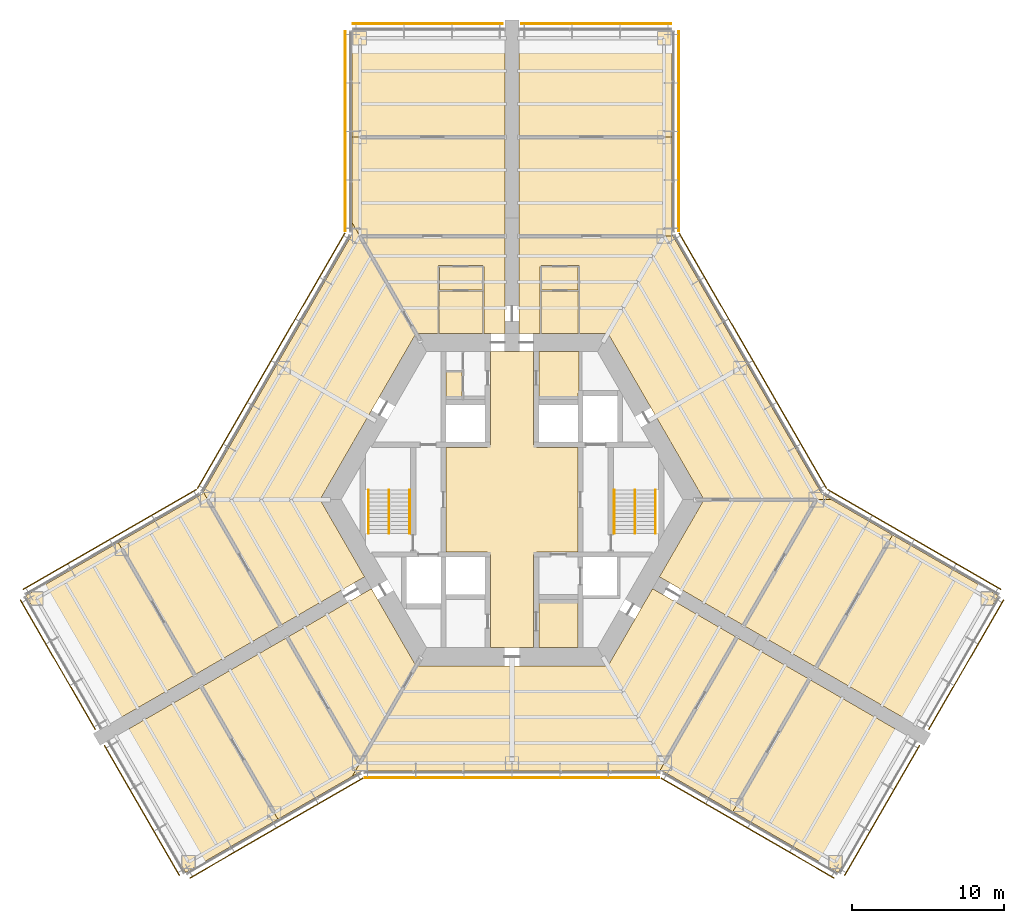
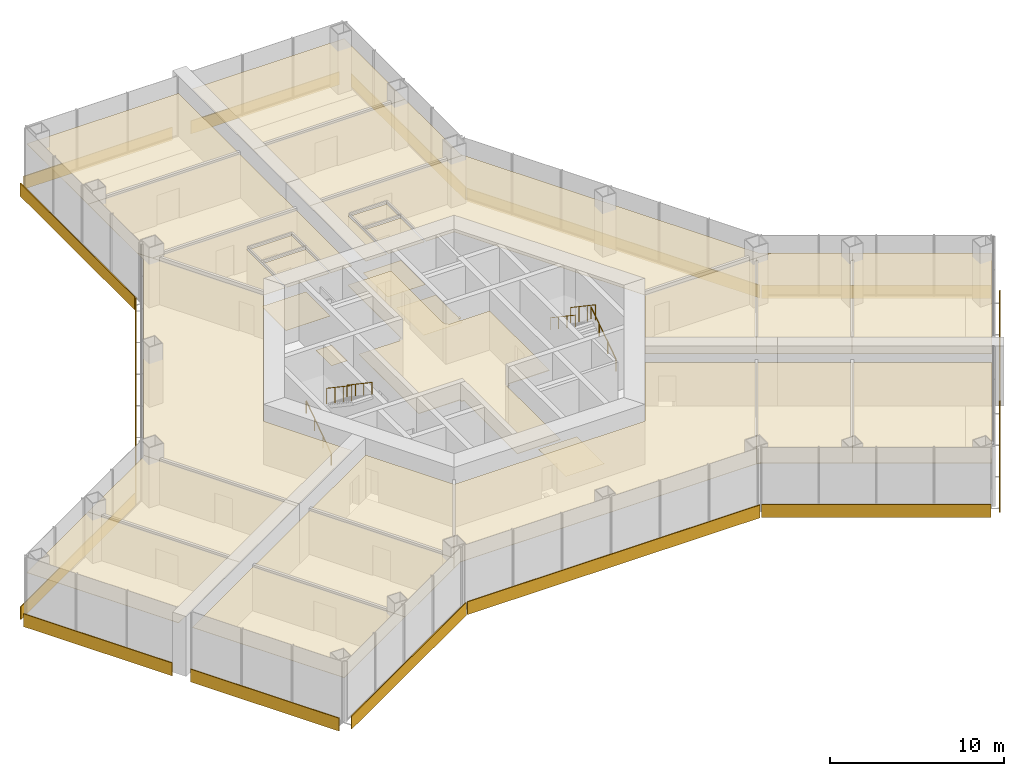
# One storey, part 15 of 15: 28 coverings, 15 shading devices, 6 railings.
"""IFC4 building model written with IfcOpenShell, lengths in metres."""

from ifc_helpers import new_model, si_unit, direction, frame, origin, origin_2d, place, context, subcontext, project, spatial, polyline, rectangle, circle, outline, extrude, material, layer, layer_set, type_object, element, save


model = new_model("IFC4")

# Units and contexts
model_context = context("Model", 3, precision=1e-05, world=origin(), true_north=direction((0.0, 1.0)))
body_context = subcontext(model_context, "Body", "Model", "MODEL_VIEW")
ifc_project = project(units=[si_unit("LENGTHUNIT", "METRE"), si_unit("AREAUNIT", "SQUARE_METRE"), si_unit("VOLUMEUNIT", "CUBIC_METRE"), si_unit("PLANEANGLEUNIT", "RADIAN"), si_unit("MASSUNIT", "GRAM", prefix="KILO")], contexts=[model_context])

# Site, building, storey
site_placement = place(None, origin())
site = spatial("IfcSite", under=ifc_project, at=site_placement, CompositionType="ELEMENT")
building_placement = place(site_placement, origin())
building = spatial("IfcBuilding", under=site, at=building_placement, Name="Kasaneha Research Tower", CompositionType="ELEMENT")
storey_placement = place(building_placement, frame((0.0, 0.0, 31.0)))
storey = spatial("IfcBuildingStorey", under=building, at=storey_placement, Name="L08", CompositionType="ELEMENT", Elevation=31.0)

# Coverings
ifc_material_1 = material(Name="Washable coated ceiling board", Category="gypsum")
ifc_layer_1 = layer(ifc_material_1, 0.02490234375)
ifc_layer_set_1 = layer_set([ifc_layer_1], Name="Laboratory ceiling 25")
covering_type_1 = type_object("IfcCoveringType", Name="Laboratory ceiling 25", PredefinedType="CEILING", material=ifc_layer_set_1)
covering_1_placement = place(storey_placement, frame((0.0, 0.0, 3.0)))
element("IfcCovering", 1, at=covering_1_placement, inside=storey, type_object=covering_type_1, Name="Ceiling L08-25", PredefinedType="CEILING", context=body_context, shape_type="SweptSolid", body=[
    extrude(outline(polyline([(1.949951171875, 10.925048828125), (1.949951171875, 13.675048828125), (4.35009765625, 13.675048828125), (4.35009765625, 10.925048828125), (1.949951171875, 10.925048828125)])), origin(), (0.0, 0.0, 1.0), 0.02490234375),
])
covering_2_placement = place(storey_placement, frame((0.0, 0.0, 3.0)))
element("IfcCovering", 2, at=covering_2_placement, inside=storey, type_object=covering_type_1, Name="Ceiling L08-26", PredefinedType="CEILING", context=body_context, shape_type="SweptSolid", body=[
    extrude(outline(polyline([(1.949951171875, 15.27490234375), (4.35009765625, 15.27490234375), (4.35009765625, 13.77490234375), (1.949951171875, 13.77490234375), (1.949951171875, 15.27490234375)])), origin(), (0.0, 0.0, 1.0), 0.02490234375),
])
covering_3_placement = place(storey_placement, frame((0.0, 0.0, 3.0)))
element("IfcCovering", 3, at=covering_3_placement, inside=storey, type_object=covering_type_1, Name="Ceiling L08-27", PredefinedType="CEILING", context=body_context, shape_type="SweptSolid", body=[
    extrude(outline(polyline([(12.614990234375, 0.0), (6.3076171875, 10.925048828125), (4.400390625, 10.925048828125), (4.400390625, 10.925048828125), (4.449951171875, 10.925048828125), (4.449951171875, 15.324951171875), (4.400390625, 15.324951171875), (4.400390625, 15.324951171875), (4.400390625, 15.3251953125), (4.400390625, 15.3251953125), (4.400390625, 15.3251953125), (4.400390625, 15.3251953125), (4.400390625, 15.3251953125), (4.400390625, 15.325439453125), (4.400390625, 15.325439453125), (4.400390625, 15.325439453125), (4.400390625, 15.325439453125), (4.400146484375, 15.325439453125), (4.400146484375, 15.325439453125), (4.400146484375, 15.325439453125), (4.400146484375, 15.325439453125), (4.400146484375, 15.325439453125), (4.39990234375, 15.325439453125), (4.39990234375, 15.375), (1.89990234375, 15.375), (1.89990234375, 15.325439453125), (1.89990234375, 15.325439453125), (1.89990234375, 15.325439453125), (1.89990234375, 15.325439453125), (1.89990234375, 15.325439453125), (1.899658203125, 15.325439453125), (1.899658203125, 15.325439453125), (1.899658203125, 15.325439453125), (1.899658203125, 15.325439453125), (1.899658203125, 15.325439453125), (1.899658203125, 15.3251953125), (1.899658203125, 15.3251953125), (1.899658203125, 15.3251953125), (1.8994140625, 15.3251953125), (1.8994140625, 15.3251953125), (1.8994140625, 15.324951171875), (1.8994140625, 15.324951171875), (1.85009765625, 15.324951171875), (1.85009765625, 10.925048828125), (0.449951171875, 10.925048828125), (0.449951171875, 11.72509765625), (0.449951171875, 12.72509765625), (0.449951171875, 17.320556640625), (10.577392578125, 17.320556640625), (20.365966796875, 0.365966796875), (21.0, 0.0), (12.614990234375, 0.0)])), origin(), (0.0, 0.0, 1.0), 0.02490234375),
])
covering_4_placement = place(storey_placement, frame((0.0, 0.0, 3.0)))
element("IfcCovering", 4, at=covering_4_placement, inside=storey, type_object=covering_type_1, Name="Ceiling L08-28", PredefinedType="CEILING", context=body_context, shape_type="SweptSolid", body=[
    extrude(outline(polyline([(10.5, 23.820556640625), (10.5, 17.45458984375), (10.577392578125, 17.320556640625), (0.449951171875, 17.320556640625), (0.449951171875, 23.820556640625), (10.5, 23.820556640625)])), origin(), (0.0, 0.0, 1.0), 0.02490234375),
])
covering_5_placement = place(storey_placement, frame((0.0, 0.0, 3.0)))
element("IfcCovering", 5, at=covering_5_placement, inside=storey, type_object=covering_type_1, Name="Ceiling L08-29", PredefinedType="CEILING", context=body_context, shape_type="SweptSolid", body=[
    extrude(outline(polyline([(10.5, 30.820556640625), (10.5, 23.820556640625), (0.449951171875, 23.820556640625), (0.449951171875, 30.820556640625), (10.5, 30.820556640625)])), origin(), (0.0, 0.0, 1.0), 0.02490234375),
])
covering_6_placement = place(storey_placement, frame((0.0, 0.0, 3.0)))
element("IfcCovering", 6, at=covering_6_placement, inside=storey, type_object=covering_type_1, Name="Ceiling L08-30", PredefinedType="CEILING", context=body_context, shape_type="SweptSolid", body=[
    extrude(outline(polyline([(-4.778564453125, 10.925048828125), (-4.778564453125, 13.675048828125), (-1.949951171875, 13.675048828125), (-1.949951171875, 10.925048828125), (-4.778564453125, 10.925048828125)])), origin(), (0.0, 0.0, 1.0), 0.02490234375),
])
covering_7_placement = place(storey_placement, frame((0.0, 0.0, 3.0)))
element("IfcCovering", 7, at=covering_7_placement, inside=storey, type_object=covering_type_1, Name="Ceiling L08-31", PredefinedType="CEILING", context=body_context, shape_type="SweptSolid", body=[
    extrude(outline(polyline([(-4.778564453125, 15.27490234375), (-1.949951171875, 15.27490234375), (-1.949951171875, 13.77490234375), (-4.778564453125, 13.77490234375), (-4.778564453125, 15.27490234375)])), origin(), (0.0, 0.0, 1.0), 0.02490234375),
])
covering_8_placement = place(storey_placement, frame((0.0, 0.0, 3.0)))
element("IfcCovering", 8, at=covering_8_placement, inside=storey, type_object=covering_type_1, Name="Ceiling L08-32", PredefinedType="CEILING", context=body_context, shape_type="SweptSolid", body=[
    extrude(outline(polyline([(-1.85009765625, 10.925048828125), (-1.85009765625, 15.324951171875), (-1.8994140625, 15.324951171875), (-1.8994140625, 15.324951171875), (-1.8994140625, 15.3251953125), (-1.8994140625, 15.3251953125), (-1.899658203125, 15.3251953125), (-1.899658203125, 15.3251953125), (-1.899658203125, 15.3251953125), (-1.899658203125, 15.325439453125), (-1.899658203125, 15.325439453125), (-1.899658203125, 15.325439453125), (-1.899658203125, 15.325439453125), (-1.899658203125, 15.325439453125), (-1.89990234375, 15.325439453125), (-1.89990234375, 15.325439453125), (-1.89990234375, 15.325439453125), (-1.89990234375, 15.325439453125), (-1.89990234375, 15.325439453125), (-1.89990234375, 15.375), (-4.82861328125, 15.375), (-4.82861328125, 15.325439453125), (-4.82861328125, 15.325439453125), (-4.82861328125, 15.325439453125), (-4.82861328125, 15.325439453125), (-4.828857421875, 15.325439453125), (-4.828857421875, 15.325439453125), (-4.828857421875, 15.325439453125), (-4.828857421875, 15.325439453125), (-4.828857421875, 15.325439453125), (-4.828857421875, 15.325439453125), (-4.8291015625, 15.3251953125), (-4.8291015625, 15.3251953125), (-4.8291015625, 15.3251953125), (-4.8291015625, 15.3251953125), (-4.8291015625, 15.3251953125), (-4.8291015625, 15.324951171875), (-4.8291015625, 15.324951171875), (-4.878662109375, 15.324951171875), (-4.878662109375, 10.925048828125), (-6.3076171875, 10.925048828125), (-10.0, 17.320556640625), (-0.449951171875, 17.320556640625), (-0.449951171875, 12.72509765625), (-0.449951171875, 11.72509765625), (-0.449951171875, 10.925048828125), (-1.85009765625, 10.925048828125)])), origin(), (0.0, 0.0, 1.0), 0.02490234375),
])
covering_9_placement = place(storey_placement, frame((0.0, 0.0, 3.0)))
element("IfcCovering", 9, at=covering_9_placement, inside=storey, type_object=covering_type_1, Name="Ceiling L08-33", PredefinedType="CEILING", context=body_context, shape_type="SweptSolid", body=[
    extrude(outline(polyline([(-10.5, 23.820556640625), (-0.449951171875, 23.820556640625), (-0.449951171875, 17.320556640625), (-10.0, 17.320556640625), (-10.5, 18.1865234375), (-10.5, 23.820556640625)])), origin(), (0.0, 0.0, 1.0), 0.02490234375),
])
covering_10_placement = place(storey_placement, frame((0.0, 0.0, 3.0)))
element("IfcCovering", 10, at=covering_10_placement, inside=storey, type_object=covering_type_1, Name="Ceiling L08-34", PredefinedType="CEILING", context=body_context, shape_type="SweptSolid", body=[
    extrude(outline(polyline([(-0.449951171875, 30.820556640625), (-0.449951171875, 23.820556640625), (-10.5, 23.820556640625), (-10.5, 30.820556640625), (-0.449951171875, 30.820556640625)])), origin(), (0.0, 0.0, 1.0), 0.02490234375),
])
covering_11_placement = place(storey_placement, frame((0.0, 0.0, 3.0)))
element("IfcCovering", 11, at=covering_11_placement, inside=storey, type_object=covering_type_1, Name="Ceiling L08-35", PredefinedType="CEILING", context=body_context, shape_type="SweptSolid", body=[
    extrude(outline(polyline([(-12.614990234375, 0.0), (-9.686279296875, -5.07275390625), (-9.895263671875, -5.193359375), (-10.379150390625, -5.472900390625), (-11.2451171875, -5.972900390625), (-14.55810546875, -7.885498046875), (-15.22509765625, -8.2705078125), (-20.28857421875, 0.5), (-10.5, 17.45458984375), (-10.5, 18.1865234375), (-6.3076171875, 10.925048828125), (-12.614990234375, 0.0)])), origin(), (0.0, 0.0, 1.0), 0.02490234375),
])
covering_12_placement = place(storey_placement, frame((0.0, 0.0, 3.0)))
element("IfcCovering", 12, at=covering_12_placement, inside=storey, type_object=covering_type_1, Name="Ceiling L08-36", PredefinedType="CEILING", context=body_context, shape_type="SweptSolid", body=[
    extrude(outline(polyline([(-25.879150390625, -2.81689453125), (-20.365966796875, 0.365966796875), (-20.28857421875, 0.5), (-15.22509765625, -8.2705078125), (-20.854248046875, -11.5205078125), (-25.879150390625, -2.81689453125)])), origin(), (0.0, 0.0, 1.0), 0.02490234375),
])
covering_13_placement = place(storey_placement, frame((0.0, 0.0, 3.0)))
element("IfcCovering", 13, at=covering_13_placement, inside=storey, type_object=covering_type_1, Name="Ceiling L08-37", PredefinedType="CEILING", context=body_context, shape_type="SweptSolid", body=[
    extrude(outline(polyline([(-31.94140625, -6.31689453125), (-25.879150390625, -2.81689453125), (-20.854248046875, -11.5205078125), (-26.916259765625, -15.0205078125), (-31.94140625, -6.31689453125)])), origin(), (0.0, 0.0, 1.0), 0.02490234375),
])
covering_14_placement = place(storey_placement, frame((0.0, 0.0, 3.0)))
element("IfcCovering", 14, at=covering_14_placement, inside=storey, type_object=covering_type_1, Name="Ceiling L08-38", PredefinedType="CEILING", context=body_context, shape_type="SweptSolid", body=[
    extrude(outline(polyline([(-9.236328125, -5.852294921875), (-6.3076171875, -10.925048828125), (-10.0, -17.320556640625), (-14.77490234375, -9.050048828125), (-9.92919921875, -6.252197265625), (-9.92919921875, -6.252197265625), (-9.236328125, -5.852294921875)])), origin(), (0.0, 0.0, 1.0), 0.02490234375),
])
covering_15_placement = place(storey_placement, frame((0.0, 0.0, 3.0)))
element("IfcCovering", 15, at=covering_15_placement, inside=storey, type_object=covering_type_1, Name="Ceiling L08-39", PredefinedType="CEILING", context=body_context, shape_type="SweptSolid", body=[
    extrude(outline(polyline([(-21.44140625, -24.50341796875), (-26.46630859375, -15.800048828125), (-20.404052734375, -12.300048828125), (-15.379150390625, -21.00341796875), (-21.44140625, -24.50341796875)])), origin(), (0.0, 0.0, 1.0), 0.02490234375),
])
covering_16_placement = place(storey_placement, frame((0.0, 0.0, 3.0)))
element("IfcCovering", 16, at=covering_16_placement, inside=storey, type_object=covering_type_1, Name="Ceiling L08-40", PredefinedType="CEILING", context=body_context, shape_type="SweptSolid", body=[
    extrude(outline(polyline([(-10.5, -18.1865234375), (-15.379150390625, -21.00341796875), (-20.404052734375, -12.300048828125), (-14.77490234375, -9.050048828125), (-10.0, -17.320556640625), (-10.5, -18.1865234375)])), origin(), (0.0, 0.0, 1.0), 0.02490234375),
])
covering_17_placement = place(storey_placement, frame((0.0, 0.0, 3.0)))
element("IfcCovering", 17, at=covering_17_placement, inside=storey, type_object=covering_type_1, Name="Ceiling L08-41", PredefinedType="CEILING", context=body_context, shape_type="SweptSolid", body=[
    extrude(outline(polyline([(11.2451171875, -5.972900390625), (10.379150390625, -5.472900390625), (9.686279296875, -5.07275390625), (12.614990234375, 0.0), (20.0, 0.0), (15.22509765625, -8.2705078125), (14.55810546875, -7.885498046875), (11.2451171875, -5.972900390625)])), origin(), (0.0, 0.0, 1.0), 0.02490234375),
])
covering_18_placement = place(storey_placement, frame((0.0, 0.0, 3.0)))
element("IfcCovering", 18, at=covering_18_placement, inside=storey, type_object=covering_type_1, Name="Ceiling L08-42", PredefinedType="CEILING", context=body_context, shape_type="SweptSolid", body=[
    extrude(outline(polyline([(19.988037109375, -11.0205078125), (25.01318359375, -2.31689453125), (31.94140625, -6.31689453125), (26.916259765625, -15.0205078125), (23.355224609375, -12.964599609375), (19.988037109375, -11.0205078125)])), origin(), (0.0, 0.0, 1.0), 0.02490234375),
])
covering_19_placement = place(storey_placement, frame((0.0, 0.0, 3.0)))
element("IfcCovering", 19, at=covering_19_placement, inside=storey, type_object=covering_type_1, Name="Ceiling L08-43", PredefinedType="CEILING", context=body_context, shape_type="SweptSolid", body=[
    extrude(outline(polyline([(15.22509765625, -8.2705078125), (20.0, 0.0), (21.0, 0.0), (25.01318359375, -2.31689453125), (19.988037109375, -11.0205078125), (15.6201171875, -8.49853515625), (15.22509765625, -8.2705078125)])), origin(), (0.0, 0.0, 1.0), 0.02490234375),
])
covering_20_placement = place(storey_placement, frame((0.0, 0.0, 3.0)))
element("IfcCovering", 20, at=covering_20_placement, inside=storey, type_object=covering_type_1, Name="Ceiling L08-44", PredefinedType="CEILING", context=body_context, shape_type="SweptSolid", body=[
    extrude(outline(polyline([(-10.5, -18.1865234375), (-6.3076171875, -10.925048828125), (6.3076171875, -10.925048828125), (9.236328125, -5.852294921875), (9.92919921875, -6.252197265625), (9.92919921875, -6.252197265625), (10.909423828125, -6.818359375), (14.77490234375, -9.050048828125), (9.71142578125, -17.820556640625), (-9.865966796875, -17.820556640625), (-10.5, -18.1865234375)])), origin(), (0.0, 0.0, 1.0), 0.02490234375),
])
covering_21_placement = place(storey_placement, frame((0.0, 0.0, 3.0)))
element("IfcCovering", 21, at=covering_21_placement, inside=storey, type_object=covering_type_1, Name="Ceiling L08-45", PredefinedType="CEILING", context=body_context, shape_type="SweptSolid", body=[
    extrude(outline(polyline([(14.77490234375, -9.050048828125), (19.5380859375, -11.800048828125), (14.51318359375, -20.50341796875), (9.865966796875, -17.820556640625), (9.71142578125, -17.820556640625), (14.77490234375, -9.050048828125)])), origin(), (0.0, 0.0, 1.0), 0.02490234375),
])
covering_22_placement = place(storey_placement, frame((0.0, 0.0, 3.0)))
element("IfcCovering", 22, at=covering_22_placement, inside=storey, type_object=covering_type_1, Name="Ceiling L08-46", PredefinedType="CEILING", context=body_context, shape_type="SweptSolid", body=[
    extrude(outline(polyline([(21.44140625, -24.50341796875), (14.51318359375, -20.50341796875), (19.5380859375, -11.800048828125), (26.46630859375, -15.800048828125), (21.44140625, -24.50341796875)])), origin(), (0.0, 0.0, 1.0), 0.02490234375),
])
ifc_material_2 = material(Name="Aluminium panel ceiling", Category="aluminium")
ifc_layer_2 = layer(ifc_material_2, 0.0400390625)
ifc_layer_set_2 = layer_set([ifc_layer_2], Name="Lift lobby ceiling 40")
covering_type_2 = type_object("IfcCoveringType", Name="Lift lobby ceiling 40", PredefinedType="CEILING", material=ifc_layer_set_2)
covering_23_placement = place(storey_placement, frame((0.0, 0.0, 2.699951171875)))
element("IfcCovering", 23, at=covering_23_placement, inside=storey, type_object=covering_type_2, Name="Ceiling L08-01", PredefinedType="CEILING", context=body_context, shape_type="SweptSolid", body=[
    extrude(outline(polyline([(1.425048828125, 9.72509765625), (1.425048828125, 3.60009765625), (1.60009765625, 3.60009765625), (1.60009765625, 3.425048828125), (4.324951171875, 3.425048828125), (4.324951171875, -3.425048828125), (1.60009765625, -3.425048828125), (1.60009765625, -3.60009765625), (1.425048828125, -3.60009765625), (1.425048828125, -9.72509765625), (-1.425048828125, -9.72509765625), (-1.425048828125, -3.60009765625), (-1.60009765625, -3.60009765625), (-1.60009765625, -3.425048828125), (-4.324951171875, -3.425048828125), (-4.324951171875, 3.425048828125), (-1.60009765625, 3.425048828125), (-1.60009765625, 3.60009765625), (-1.425048828125, 3.60009765625), (-1.425048828125, 9.72509765625), (1.425048828125, 9.72509765625)])), origin(), (0.0, 0.0, 1.0), 0.0400390625),
])

# Railings
ifc_material_3 = material(Name="Steel", Category="steel")
railing_type_1 = type_object("IfcRailingType", Name="Stair balustrade 1100", PredefinedType="GUARDRAIL", material=ifc_material_3)
for number, where, name in (
    (24, (8.074951171875, 0.635009765625, 2.27490234375), "Stair 1 balustrade L08"),
    (25, (-8.074951171875, 0.635009765625, 2.27490234375), "Stair 2 balustrade L08"),
):
    element("IfcRailing", number, at=place(storey_placement, frame(where)), inside=storey, type_object=railing_type_1, Name=name, PredefinedType="GUARDRAIL", context=body_context, shape_type="SweptSolid", body=[
        extrude(circle(Radius=0.02392578125, at=origin_2d()), frame((0.0, 0.0, 1.076171875), z_axis=(0.0, -0.829590901723, 0.558371682465), x_axis=(1.0, 0.0, 0.0)), (0.0, 0.0, 1.0), 3.447509765625),
        extrude(circle(Radius=0.02099609375, at=origin_2d()), origin(), (0.0, 0.0, 1.0), 1.052001953125),
        extrude(circle(Radius=0.02099609375, at=origin_2d()), frame((0.0, -0.953369140625, 0.6416015625)), (0.0, 0.0, 1.0), 1.052001953125),
        extrude(circle(Radius=0.02099609375, at=origin_2d()), frame((0.0, -1.90673828125, 1.283447265625)), (0.0, 0.0, 1.0), 1.052001953125),
        extrude(circle(Radius=0.02099609375, at=origin_2d()), frame((0.0, -2.860107421875, 1.925048828125)), (0.0, 0.0, 1.0), 1.052001953125),
    ])
ifc_material_4 = material(Name="Steel", Category="steel")
railing_type_2 = type_object("IfcRailingType", Name="Stair handrail 850", PredefinedType="HANDRAIL", material=ifc_material_4)
railing_1_placement = place(storey_placement, frame((9.425048828125, -2.22509765625, 0.175048828125)))
element("IfcRailing", 26, at=railing_1_placement, inside=storey, type_object=railing_type_2, Name="Stair 1 handrail L08", PredefinedType="HANDRAIL", context=body_context, shape_type="SweptSolid", body=[
    extrude(circle(Radius=0.02392578125, at=origin_2d()), frame((0.0, 0.0, 0.826171875), z_axis=(0.0, 0.829590901723, 0.558371682465), x_axis=(-1.0, 0.0, 0.0)), (0.0, 0.0, 1.0), 3.447509765625),
    extrude(circle(Radius=0.02099609375, at=origin_2d()), origin(), (0.0, 0.0, 1.0), 0.802001953125),
    extrude(circle(Radius=0.02099609375, at=origin_2d()), frame((0.0, 0.953369140625, 0.6416015625)), (0.0, 0.0, 1.0), 0.802001953125),
    extrude(circle(Radius=0.02099609375, at=origin_2d()), frame((0.0, 1.90673828125, 1.283447265625)), (0.0, 0.0, 1.0), 0.802001953125),
    extrude(circle(Radius=0.02099609375, at=origin_2d()), frame((0.0, 2.860107421875, 1.925048828125)), (0.0, 0.0, 1.0), 0.802001953125),
])
railing_2_placement = place(storey_placement, frame((6.72509765625, 0.635009765625, 2.27490234375)))
element("IfcRailing", 27, at=railing_2_placement, inside=storey, type_object=railing_type_2, Name="Stair 1 handrail L08", PredefinedType="HANDRAIL", context=body_context, shape_type="SweptSolid", body=[
    extrude(circle(Radius=0.02392578125, at=origin_2d()), frame((0.0, 0.0, 0.826171875), z_axis=(0.0, -0.829590901723, 0.558371682465), x_axis=(1.0, 0.0, 0.0)), (0.0, 0.0, 1.0), 3.447509765625),
    extrude(circle(Radius=0.02099609375, at=origin_2d()), origin(), (0.0, 0.0, 1.0), 0.802001953125),
    extrude(circle(Radius=0.02099609375, at=origin_2d()), frame((0.0, -0.953369140625, 0.6416015625)), (0.0, 0.0, 1.0), 0.802001953125),
    extrude(circle(Radius=0.02099609375, at=origin_2d()), frame((0.0, -1.90673828125, 1.283447265625)), (0.0, 0.0, 1.0), 0.802001953125),
    extrude(circle(Radius=0.02099609375, at=origin_2d()), frame((0.0, -2.860107421875, 1.925048828125)), (0.0, 0.0, 1.0), 0.802001953125),
])
railing_3_placement = place(storey_placement, frame((-9.425048828125, -2.22509765625, 0.175048828125)))
element("IfcRailing", 28, at=railing_3_placement, inside=storey, type_object=railing_type_2, Name="Stair 2 handrail L08", PredefinedType="HANDRAIL", context=body_context, shape_type="SweptSolid", body=[
    extrude(circle(Radius=0.02392578125, at=origin_2d()), frame((0.0, 0.0, 0.826171875), z_axis=(0.0, 0.829590901723, 0.558371682465), x_axis=(-1.0, 0.0, 0.0)), (0.0, 0.0, 1.0), 3.447509765625),
    extrude(circle(Radius=0.02099609375, at=origin_2d()), origin(), (0.0, 0.0, 1.0), 0.802001953125),
    extrude(circle(Radius=0.02099609375, at=origin_2d()), frame((0.0, 0.953369140625, 0.6416015625)), (0.0, 0.0, 1.0), 0.802001953125),
    extrude(circle(Radius=0.02099609375, at=origin_2d()), frame((0.0, 1.90673828125, 1.283447265625)), (0.0, 0.0, 1.0), 0.802001953125),
    extrude(circle(Radius=0.02099609375, at=origin_2d()), frame((0.0, 2.860107421875, 1.925048828125)), (0.0, 0.0, 1.0), 0.802001953125),
])
railing_4_placement = place(storey_placement, frame((-6.72509765625, 0.635009765625, 2.27490234375)))
element("IfcRailing", 29, at=railing_4_placement, inside=storey, type_object=railing_type_2, Name="Stair 2 handrail L08", PredefinedType="HANDRAIL", context=body_context, shape_type="SweptSolid", body=[
    extrude(circle(Radius=0.02392578125, at=origin_2d()), frame((0.0, 0.0, 0.826171875), z_axis=(0.0, -0.829590901723, 0.558371682465), x_axis=(1.0, 0.0, 0.0)), (0.0, 0.0, 1.0), 3.447509765625),
    extrude(circle(Radius=0.02099609375, at=origin_2d()), origin(), (0.0, 0.0, 1.0), 0.802001953125),
    extrude(circle(Radius=0.02099609375, at=origin_2d()), frame((0.0, -0.953369140625, 0.6416015625)), (0.0, 0.0, 1.0), 0.802001953125),
    extrude(circle(Radius=0.02099609375, at=origin_2d()), frame((0.0, -1.90673828125, 1.283447265625)), (0.0, 0.0, 1.0), 0.802001953125),
    extrude(circle(Radius=0.02099609375, at=origin_2d()), frame((0.0, -2.860107421875, 1.925048828125)), (0.0, 0.0, 1.0), 0.802001953125),
])

# Shading devices
ifc_material_5 = material(Name="Terracotta", Category="masonry")
ifc_layer_3 = layer(ifc_material_5, 0.06005859375)
ifc_layer_set_3 = layer_set([ifc_layer_3], Name="Terracotta baguette screen")
shading_device_type = type_object("IfcShadingDeviceType", Name="Terracotta baguette screen", PredefinedType="USERDEFINED", material=ifc_layer_set_3)
shading_device_1_placement = place(storey_placement, frame((-15.483642578125, -21.58349609375, -0.449951171875), z_axis=(0.0, 0.0, 1.0), x_axis=(0.866025411464, 0.499999986699, 0.0)))
element("IfcShadingDevice", 30, at=shading_device_1_placement, inside=storey, type_object=shading_device_type, Name="Baguette screen L08 01", ObjectType="TERRACOTTA BAGUETTE SCREEN", PredefinedType="USERDEFINED", context=body_context, shape_type="SweptSolid", body=[
    extrude(rectangle(XDim=13.13916015625, YDim=0.06005859375, at=origin_2d()), origin(), (0.0, 0.0, 1.0), 0.89990234375),
])
shading_device_2_placement = place(storey_placement, frame((0.0, -18.2705078125, -0.449951171875), z_axis=(0.0, 0.0, 1.0), x_axis=(1.0, 0.0, 0.0)))
element("IfcShadingDevice", 31, at=shading_device_2_placement, inside=storey, type_object=shading_device_type, Name="Baguette screen L08 02", ObjectType="TERRACOTTA BAGUETTE SCREEN", PredefinedType="USERDEFINED", context=body_context, shape_type="SweptSolid", body=[
    extrude(rectangle(XDim=19.37841796875, YDim=0.06005859375, at=origin_2d()), origin(), (0.0, 0.0, 1.0), 0.89990234375),
])
shading_device_3_placement = place(storey_placement, frame((15.483642578125, -21.58349609375, -0.449951171875), z_axis=(0.0, 0.0, 1.0), x_axis=(0.866025411464, -0.499999986699, 0.0)))
element("IfcShadingDevice", 32, at=shading_device_3_placement, inside=storey, type_object=shading_device_type, Name="Baguette screen L08 03", ObjectType="TERRACOTTA BAGUETTE SCREEN", PredefinedType="USERDEFINED", context=body_context, shape_type="SweptSolid", body=[
    extrude(rectangle(XDim=13.13916015625, YDim=0.06005859375, at=origin_2d()), origin(), (0.0, 0.0, 1.0), 0.89990234375),
])
for number, where, z_axis, x_axis, name in (
    (33, (24.318603515625, -20.420166015625, -0.449951171875), (0.0, 0.0, 1.0), (0.500000011442, 0.866025397178, 0.0), "Baguette screen L08 04"),
    (34, (29.843505859375, -10.850341796875, -0.449951171875), (0.0, 0.0, 1.0), (0.500000011442, 0.866025397178, 0.0), "Baguette screen L08 05"),
):
    element("IfcShadingDevice", number, at=place(storey_placement, frame(where, z_axis=z_axis, x_axis=x_axis)), inside=storey, type_object=shading_device_type, Name=name, ObjectType="TERRACOTTA BAGUETTE SCREEN", PredefinedType="USERDEFINED", context=body_context, shape_type="SweptSolid", body=[
        extrude(rectangle(XDim=9.85009765625, YDim=0.06005859375, at=origin_2d()), origin(), (0.0, 0.0, 1.0), 0.89990234375),
    ])
shading_device_4_placement = place(storey_placement, frame((26.43359375, -2.617431640625, -0.449951171875), z_axis=(0.0, 0.0, 1.0), x_axis=(-0.866025411464, 0.499999986699, 0.0)))
element("IfcShadingDevice", 35, at=shading_device_4_placement, inside=storey, type_object=shading_device_type, Name="Baguette screen L08 06", ObjectType="TERRACOTTA BAGUETTE SCREEN", PredefinedType="USERDEFINED", context=body_context, shape_type="SweptSolid", body=[
    extrude(rectangle(XDim=13.13916015625, YDim=0.06005859375, at=origin_2d()), origin(), (0.0, 0.0, 1.0), 0.89990234375),
])
shading_device_5_placement = place(storey_placement, frame((15.82275390625, 9.13525390625, -0.449951171875), z_axis=(0.0, 0.0, 1.0), x_axis=(-0.49999996188, 0.866025425793, 0.0)))
element("IfcShadingDevice", 36, at=shading_device_5_placement, inside=storey, type_object=shading_device_type, Name="Baguette screen L08 07", ObjectType="TERRACOTTA BAGUETTE SCREEN", PredefinedType="USERDEFINED", context=body_context, shape_type="SweptSolid", body=[
    extrude(rectangle(XDim=19.37841796875, YDim=0.06005859375, at=origin_2d()), origin(), (0.0, 0.0, 1.0), 0.89990234375),
])
shading_device_6_placement = place(storey_placement, frame((10.949951171875, 24.200927734375, -0.449951171875), z_axis=(0.0, 0.0, 1.0), x_axis=(0.0, 1.0, 0.0)))
element("IfcShadingDevice", 37, at=shading_device_6_placement, inside=storey, type_object=shading_device_type, Name="Baguette screen L08 08", ObjectType="TERRACOTTA BAGUETTE SCREEN", PredefinedType="USERDEFINED", context=body_context, shape_type="SweptSolid", body=[
    extrude(rectangle(XDim=13.13916015625, YDim=0.06005859375, at=origin_2d()), origin(), (0.0, 0.0, 1.0), 0.89990234375),
])
for number, where, z_axis, x_axis, name in (
    (38, (5.52490234375, 31.2705078125, -0.449951171875), (0.0, 0.0, 1.0), (-1.0, 0.0, 0.0), "Baguette screen L08 09"),
    (39, (-5.52490234375, 31.2705078125, -0.449951171875), (0.0, 0.0, 1.0), (-1.0, 0.0, 0.0), "Baguette screen L08 10"),
):
    element("IfcShadingDevice", number, at=place(storey_placement, frame(where, z_axis=z_axis, x_axis=x_axis)), inside=storey, type_object=shading_device_type, Name=name, ObjectType="TERRACOTTA BAGUETTE SCREEN", PredefinedType="USERDEFINED", context=body_context, shape_type="SweptSolid", body=[
        extrude(rectangle(XDim=9.85009765625, YDim=0.06005859375, at=origin_2d()), origin(), (0.0, 0.0, 1.0), 0.89990234375),
    ])
shading_device_7_placement = place(storey_placement, frame((-10.949951171875, 24.200927734375, -0.449951171875), z_axis=(0.0, 0.0, 1.0), x_axis=(0.0, -1.0, 0.0)))
element("IfcShadingDevice", 40, at=shading_device_7_placement, inside=storey, type_object=shading_device_type, Name="Baguette screen L08 11", ObjectType="TERRACOTTA BAGUETTE SCREEN", PredefinedType="USERDEFINED", context=body_context, shape_type="SweptSolid", body=[
    extrude(rectangle(XDim=13.13916015625, YDim=0.06005859375, at=origin_2d()), origin(), (0.0, 0.0, 1.0), 0.89990234375),
])
shading_device_8_placement = place(storey_placement, frame((-15.82275390625, 9.13525390625, -0.449951171875), z_axis=(0.0, 0.0, 1.0), x_axis=(-0.49999996188, -0.866025425793, 0.0)))
element("IfcShadingDevice", 41, at=shading_device_8_placement, inside=storey, type_object=shading_device_type, Name="Baguette screen L08 12", ObjectType="TERRACOTTA BAGUETTE SCREEN", PredefinedType="USERDEFINED", context=body_context, shape_type="SweptSolid", body=[
    extrude(rectangle(XDim=19.37841796875, YDim=0.06005859375, at=origin_2d()), origin(), (0.0, 0.0, 1.0), 0.89990234375),
])
shading_device_9_placement = place(storey_placement, frame((-26.43359375, -2.617431640625, -0.449951171875), z_axis=(0.0, 0.0, 1.0), x_axis=(-0.866025411464, -0.499999986699, 0.0)))
element("IfcShadingDevice", 42, at=shading_device_9_placement, inside=storey, type_object=shading_device_type, Name="Baguette screen L08 13", ObjectType="TERRACOTTA BAGUETTE SCREEN", PredefinedType="USERDEFINED", context=body_context, shape_type="SweptSolid", body=[
    extrude(rectangle(XDim=13.13916015625, YDim=0.06005859375, at=origin_2d()), origin(), (0.0, 0.0, 1.0), 0.89990234375),
])
for number, where, z_axis, x_axis, name in (
    (43, (-29.843505859375, -10.850341796875, -0.449951171875), (0.0, 0.0, 1.0), (0.500000011442, -0.866025397178, 0.0), "Baguette screen L08 14"),
    (44, (-24.318603515625, -20.420166015625, -0.449951171875), (0.0, 0.0, 1.0), (0.500000011442, -0.866025397178, 0.0), "Baguette screen L08 15"),
):
    element("IfcShadingDevice", number, at=place(storey_placement, frame(where, z_axis=z_axis, x_axis=x_axis)), inside=storey, type_object=shading_device_type, Name=name, ObjectType="TERRACOTTA BAGUETTE SCREEN", PredefinedType="USERDEFINED", context=body_context, shape_type="SweptSolid", body=[
        extrude(rectangle(XDim=9.85009765625, YDim=0.06005859375, at=origin_2d()), origin(), (0.0, 0.0, 1.0), 0.89990234375),
    ])

# Coverings
ifc_material_6 = material(Name="Vinyl sheet flooring", Category="plastic")
ifc_layer_4 = layer(ifc_material_6, 0.0048828125)
ifc_layer_set_4 = layer_set([ifc_layer_4], Name="Wet room sheet flooring 5")
covering_type_3 = type_object("IfcCoveringType", Name="Wet room sheet flooring 5", PredefinedType="FLOORING", material=ifc_layer_set_4)
covering_24_placement = place(storey_placement, origin())
element("IfcCovering", 45, at=covering_24_placement, inside=storey, type_object=covering_type_3, Name="Floor finish L08-07", PredefinedType="FLOORING", context=body_context, shape_type="SweptSolid", body=[
    extrude(outline(polyline([(-4.324951171875, 6.574951171875), (-4.324951171875, 8.375), (-3.27490234375, 8.375), (-3.27490234375, 6.574951171875), (-4.324951171875, 6.574951171875)])), origin(), (0.0, 0.0, 1.0), 0.0048828125),
])
covering_25_placement = place(storey_placement, origin())
element("IfcCovering", 46, at=covering_25_placement, inside=storey, type_object=covering_type_3, Name="Floor finish L08-09", PredefinedType="FLOORING", context=body_context, shape_type="SweptSolid", body=[
    extrude(outline(polyline([(4.39892578125, 9.72509765625), (4.39892578125, 7.175048828125), (4.39892578125, 7.1748046875), (4.39892578125, 7.1748046875), (4.39892578125, 7.1748046875), (4.399169921875, 7.174560546875), (4.399169921875, 7.174560546875), (4.399169921875, 7.174560546875), (4.399169921875, 7.17431640625), (4.399169921875, 7.17431640625), (4.3994140625, 7.17431640625), (4.3994140625, 7.174072265625), (4.3994140625, 7.174072265625), (4.399658203125, 7.174072265625), (4.399658203125, 7.174072265625), (4.39990234375, 7.174072265625), (4.39990234375, 7.174072265625), (4.39990234375, 7.174072265625), (4.5, 7.174072265625), (4.5, 7.0), (4.324951171875, 7.0), (4.324951171875, 6.574951171875), (1.77490234375, 6.574951171875), (1.77490234375, 9.72509765625), (4.39892578125, 9.72509765625)])), origin(), (0.0, 0.0, 1.0), 0.0048828125),
])
covering_26_placement = place(storey_placement, origin())
element("IfcCovering", 47, at=covering_26_placement, inside=storey, type_object=covering_type_3, Name="Floor finish L08-11", PredefinedType="FLOORING", context=body_context, shape_type="SweptSolid", body=[
    extrude(outline(polyline([(1.77490234375, -9.72509765625), (1.77490234375, -6.574951171875), (4.324951171875, -6.574951171875), (4.324951171875, -9.72509765625), (1.77490234375, -9.72509765625)])), origin(), (0.0, 0.0, 1.0), 0.0048828125),
])
covering_27_placement = place(storey_placement, origin())
element("IfcCovering", 48, at=covering_27_placement, inside=storey, type_object=covering_type_3, Name="Floor finish L08-25", PredefinedType="FLOORING", context=body_context, shape_type="SweptSolid", body=[
    extrude(outline(polyline([(1.89990234375, 13.72509765625), (4.39990234375, 13.72509765625), (4.39990234375, 10.925048828125), (1.89990234375, 10.925048828125), (1.89990234375, 13.72509765625)])), origin(), (0.0, 0.0, 1.0), 0.0048828125),
])
covering_28_placement = place(storey_placement, origin())
element("IfcCovering", 49, at=covering_28_placement, inside=storey, type_object=covering_type_3, Name="Floor finish L08-30", PredefinedType="FLOORING", context=body_context, shape_type="SweptSolid", body=[
    extrude(outline(polyline([(-4.82861328125, 10.925048828125), (-4.82861328125, 13.72509765625), (-1.89990234375, 13.72509765625), (-1.89990234375, 10.925048828125), (-4.82861328125, 10.925048828125)])), origin(), (0.0, 0.0, 1.0), 0.0048828125),
])

save(model, "model.ifc")
